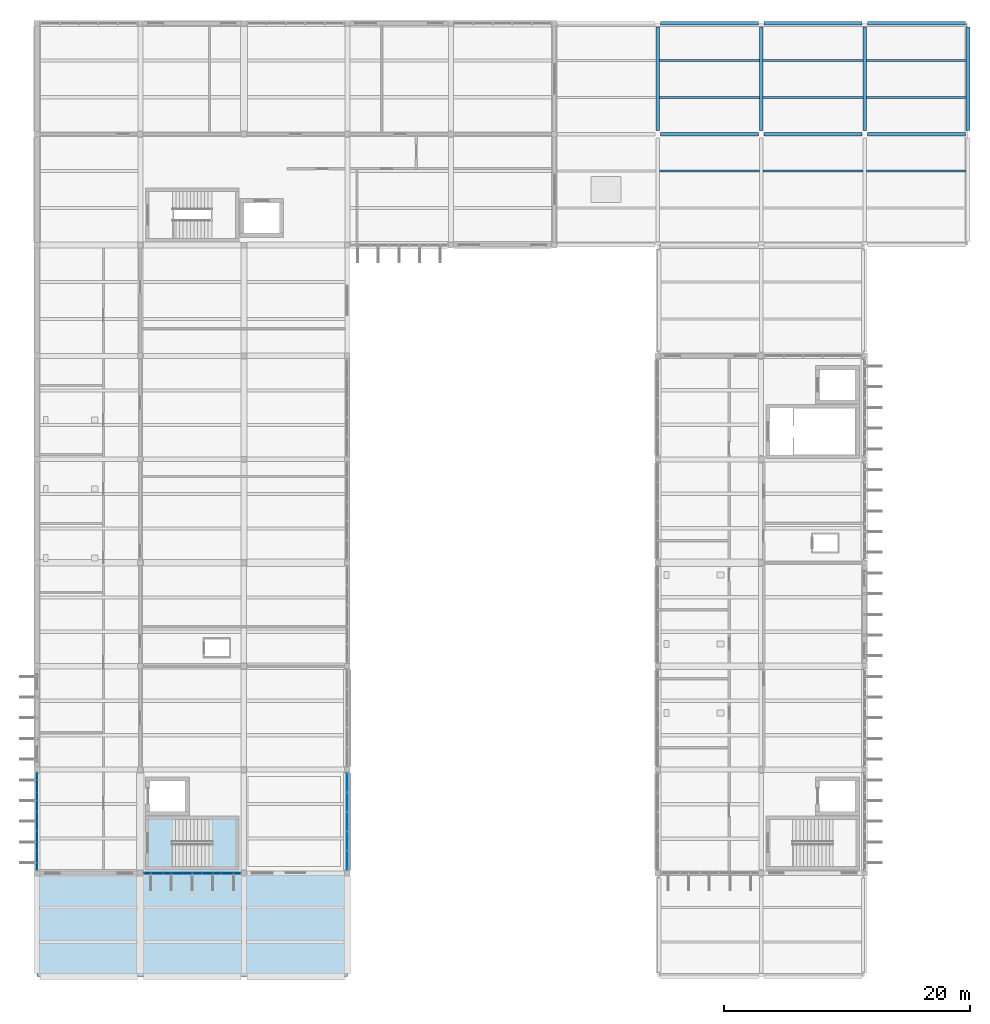
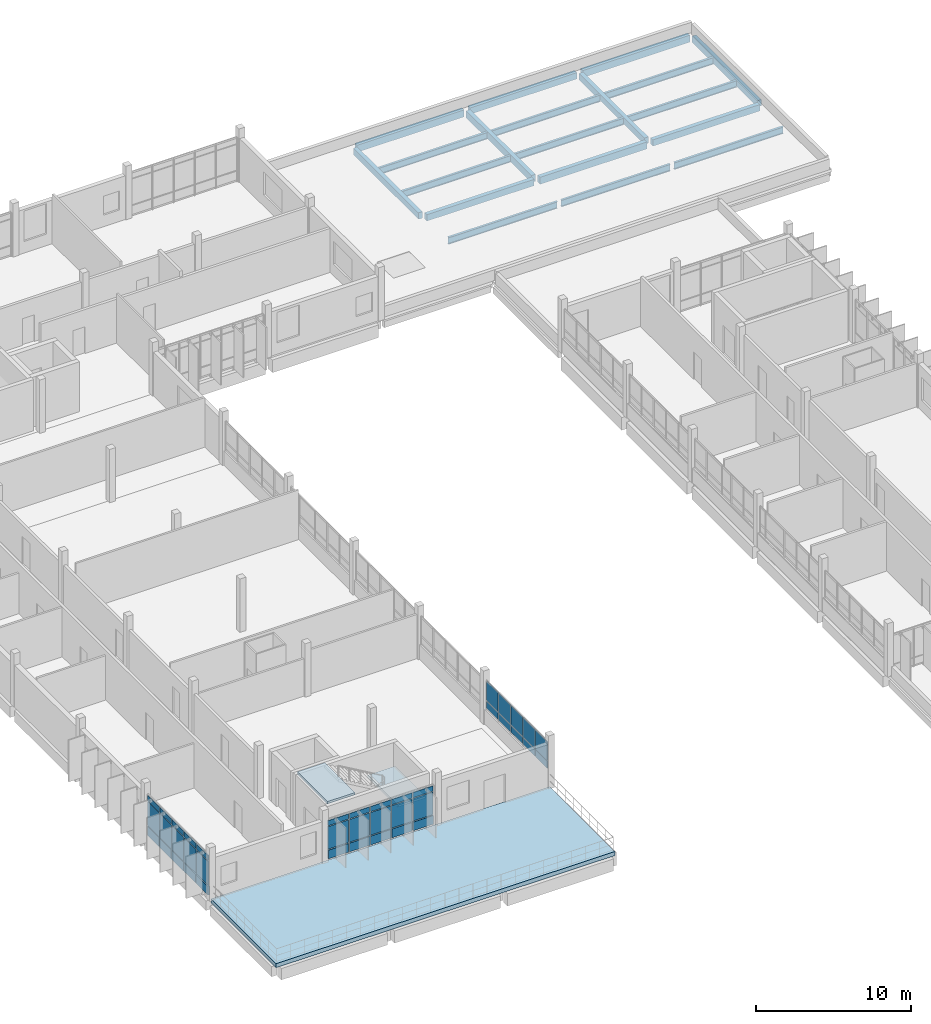
# One storey, part 43 of 62: 40 plates, 19 beams, 3 slabs, 4 elements without a shape of their own.
"""IFC4 building model written with IfcOpenShell, lengths in metres."""

from ifc_helpers import new_model, si_unit, direction, frame, origin, origin_2d, place, context, subcontext, project, spatial, polyline, rectangle, i_section, outline, extrude, material, layer, layer_set, material_profile, profile_set, type_object, element, aggregate, save


model = new_model("IFC4")

# Units and contexts
model_context = context("Model", 3, precision=1e-05, world=origin(), true_north=direction((0.0, 1.0)))
body_context = subcontext(model_context, "Body", "Model", "MODEL_VIEW")
ifc_project = project(units=[si_unit("LENGTHUNIT", "METRE"), si_unit("AREAUNIT", "SQUARE_METRE"), si_unit("VOLUMEUNIT", "CUBIC_METRE"), si_unit("PLANEANGLEUNIT", "RADIAN"), si_unit("MASSUNIT", "GRAM", prefix="KILO")], contexts=[model_context])

# Site, building, storey
site_placement = place(None, origin())
site = spatial("IfcSite", under=ifc_project, at=site_placement, CompositionType="ELEMENT")
building_placement = place(site_placement, origin())
building = spatial("IfcBuilding", under=site, at=building_placement, Name="Vireocrest Preparatory School", CompositionType="ELEMENT")
storey_placement = place(building_placement, frame((0.0, 0.0, 17.39990234375)))
storey = spatial("IfcBuildingStorey", under=building, at=storey_placement, Name="L04", CompositionType="ELEMENT", Elevation=17.39990234375)

# Beams
ifc_material_1 = material(Name="Structural steel ASTM A992 Grade 50", Category="steel")
ifc_material_profile_1 = material_profile(ifc_material_1, i_section(OverallWidth=0.166015625, OverallDepth=0.529052734375, WebThickness=0.009765625, FlangeThickness=0.013671875, FilletRadius=0.014892578125, at=origin_2d()), Name="W21X50")
ifc_profile_set_1 = profile_set([ifc_material_profile_1], Name="Structural steel ASTM A992 Grade 50")
beam_type_1 = type_object("IfcBeamType", Name="Pavilion Roof Joist W21X50", PredefinedType="JOIST", material=ifc_profile_set_1)
for number, where, z_axis, x_axis, name in (
    (1, (92.550048828125, 100.800048828125, -0.484375), (1.0, 0.0, 0.0), (0.0, 1.0, 0.0), "Secondary Joist SJ1 L04-1496"),
    (2, (92.550048828125, 106.800048828125, -0.484375), (1.0, 0.0, 0.0), (0.0, 1.0, 0.0), "Secondary Joist SJ1 L04-1497"),
    (3, (92.550048828125, 109.800048828125, -0.484375), (1.0, 0.0, 0.0), (0.0, 1.0, 0.0), "Secondary Joist SJ1 L04-1498"),
):
    element("IfcBeam", number, at=place(storey_placement, frame(where, z_axis=z_axis, x_axis=x_axis)), inside=storey, type_object=beam_type_1, Name=name, PredefinedType="JOIST", context=body_context, shape_type="SweptSolid", body=[
        extrude(i_section(OverallWidth=0.166015625, OverallDepth=0.529052734375, WebThickness=0.009765625, FlangeThickness=0.013671875, FilletRadius=0.014892578125, at=origin_2d()), origin(), (0.0, 0.0, 1.0), 8.099853515625),
    ])
for number, where, z_axis, x_axis, name in (
    (4, (100.949951171875, 100.800048828125, -0.484375), (1.0, 0.0, 0.0), (0.0, 1.0, 0.0), "Secondary Joist SJ1 L04-1510"),
    (5, (100.949951171875, 106.800048828125, -0.484375), (1.0, 0.0, 0.0), (0.0, 1.0, 0.0), "Secondary Joist SJ1 L04-1511"),
    (6, (100.949951171875, 109.800048828125, -0.484375), (1.0, 0.0, 0.0), (0.0, 1.0, 0.0), "Secondary Joist SJ1 L04-1512"),
):
    element("IfcBeam", number, at=place(storey_placement, frame(where, z_axis=z_axis, x_axis=x_axis)), inside=storey, type_object=beam_type_1, Name=name, PredefinedType="JOIST", context=body_context, shape_type="SweptSolid", body=[
        extrude(i_section(OverallWidth=0.166015625, OverallDepth=0.529052734375, WebThickness=0.009765625, FlangeThickness=0.013671875, FilletRadius=0.014892578125, at=origin_2d()), origin(), (0.0, 0.0, 1.0), 8.10009765625),
    ])
for number, where, z_axis, x_axis, name in (
    (7, (109.35009765625, 100.800048828125, -0.484375), (1.0, 0.0, 0.0), (0.0, 1.0, 0.0), "Secondary Joist SJ1 L04-1514"),
    (8, (109.35009765625, 106.800048828125, -0.484375), (1.0, 0.0, 0.0), (0.0, 1.0, 0.0), "Secondary Joist SJ1 L04-1515"),
    (9, (109.35009765625, 109.800048828125, -0.484375), (1.0, 0.0, 0.0), (0.0, 1.0, 0.0), "Secondary Joist SJ1 L04-1516"),
):
    element("IfcBeam", number, at=place(storey_placement, frame(where, z_axis=z_axis, x_axis=x_axis)), inside=storey, type_object=beam_type_1, Name=name, PredefinedType="JOIST", context=body_context, shape_type="SweptSolid", body=[
        extrude(i_section(OverallWidth=0.166015625, OverallDepth=0.529052734375, WebThickness=0.009765625, FlangeThickness=0.013671875, FilletRadius=0.014892578125, at=origin_2d()), origin(), (0.0, 0.0, 1.0), 8.099853515625),
    ])
ifc_material_2 = material(Name="Concrete 40 MPa", Category="concrete")
ifc_material_profile_2 = material_profile(ifc_material_2, rectangle(XDim=0.300048828125, YDim=0.5, at=origin_2d()), Name="RC 300x500")
ifc_profile_set_2 = profile_set([ifc_material_profile_2], Name="Concrete 40 MPa")
beam_type_2 = type_object("IfcBeamType", Name="RC Roof Edge Beam 300x500", PredefinedType="BEAM", material=ifc_profile_set_2)
for number, where, z_axis, x_axis, name in (
    (10, (92.625, 103.800048828125, -0.469970703125), (1.0, 0.0, 0.0), (0.0, 1.0, 0.0), "Primary Girder B01 L04-1341"),
    (11, (109.425048828125, 103.800048828125, -0.469970703125), (1.0, 0.0, 0.0), (0.0, 1.0, 0.0), "Primary Girder B01 L04-1343"),
):
    element("IfcBeam", number, at=place(storey_placement, frame(where, z_axis=z_axis, x_axis=x_axis)), inside=storey, type_object=beam_type_2, Name=name, PredefinedType="BEAM", context=body_context, shape_type="SweptSolid", body=[
        extrude(rectangle(XDim=0.300048828125, YDim=0.5, at=origin_2d()), origin(), (0.0, 0.0, 1.0), 7.949951171875),
    ])
beam_1_placement = place(storey_placement, frame((101.02490234375, 112.800048828125, -0.469970703125), z_axis=(1.0, 0.0, 0.0), x_axis=(0.0, 1.0, 0.0)))
element("IfcBeam", 12, at=beam_1_placement, inside=storey, type_object=beam_type_2, Name="Primary Girder B01 L04-1351", PredefinedType="BEAM", context=body_context, shape_type="SweptSolid", body=[
    extrude(rectangle(XDim=0.300048828125, YDim=0.5, at=origin_2d()), origin(), (0.0, 0.0, 1.0), 7.9501953125),
])
for number, where, z_axis, x_axis, name in (
    (13, (92.39990234375, 104.10009765625, -0.469970703125), (0.0, 1.0, 0.0), (-1.0, 0.0, 0.0), "Primary Girder B01 L04-1400"),
    (14, (109.199951171875, 104.10009765625, -0.469970703125), (0.0, 1.0, 0.0), (-1.0, 0.0, 0.0), "Primary Girder B01 L04-1418"),
    (15, (117.60009765625, 104.10009765625, -0.469970703125), (0.0, 1.0, 0.0), (-1.0, 0.0, 0.0), "Primary Girder B01 L04-1420"),
):
    element("IfcBeam", number, at=place(storey_placement, frame(where, z_axis=z_axis, x_axis=x_axis)), inside=storey, type_object=beam_type_2, Name=name, PredefinedType="BEAM", context=body_context, shape_type="SweptSolid", body=[
        extrude(rectangle(XDim=0.300048828125, YDim=0.5, at=origin_2d()), origin(), (0.0, 0.0, 1.0), 8.39990234375),
    ])
ifc_material_profile_3 = material_profile(ifc_material_2, rectangle(XDim=0.300048828125, YDim=0.550048828125, at=origin_2d()), Name="RC 300x550")
ifc_profile_set_3 = profile_set([ifc_material_profile_3], Name="Concrete 40 MPa")
beam_type_3 = type_object("IfcBeamType", Name="RC Roof Girder 300x550", PredefinedType="BEAM", material=ifc_profile_set_3)
beam_2_placement = place(storey_placement, frame((101.02490234375, 103.800048828125, -0.494873046875), z_axis=(1.0, 0.0, 0.0), x_axis=(0.0, 1.0, 0.0)))
element("IfcBeam", 16, at=beam_2_placement, inside=storey, type_object=beam_type_3, Name="Primary Girder B02 L04-1342", PredefinedType="BEAM", context=body_context, shape_type="SweptSolid", body=[
    extrude(rectangle(XDim=0.300048828125, YDim=0.550048828125, at=origin_2d()), origin(), (0.0, 0.0, 1.0), 7.9501953125),
])
for number, where, z_axis, x_axis, name in (
    (17, (92.625, 112.800048828125, -0.494873046875), (1.0, 0.0, 0.0), (0.0, 1.0, 0.0), "Primary Girder B02 L04-1350"),
    (18, (109.425048828125, 112.800048828125, -0.494873046875), (1.0, 0.0, 0.0), (0.0, 1.0, 0.0), "Primary Girder B02 L04-1352"),
):
    element("IfcBeam", number, at=place(storey_placement, frame(where, z_axis=z_axis, x_axis=x_axis)), inside=storey, type_object=beam_type_3, Name=name, PredefinedType="BEAM", context=body_context, shape_type="SweptSolid", body=[
        extrude(rectangle(XDim=0.300048828125, YDim=0.550048828125, at=origin_2d()), origin(), (0.0, 0.0, 1.0), 7.949951171875),
    ])
beam_3_placement = place(storey_placement, frame((100.800048828125, 104.10009765625, -0.494873046875), z_axis=(0.0, 1.0, 0.0), x_axis=(-1.0, 0.0, 0.0)))
element("IfcBeam", 19, at=beam_3_placement, inside=storey, type_object=beam_type_3, Name="Primary Girder B02 L04-1409", PredefinedType="BEAM", context=body_context, shape_type="SweptSolid", body=[
    extrude(rectangle(XDim=0.300048828125, YDim=0.550048828125, at=origin_2d()), origin(), (0.0, 0.0, 1.0), 8.39990234375),
])

# Curtain wall, plates
ifc_material_3 = material(Name="Thermally broken aluminium EN AW-6063-T6", Category="aluminium")
ifc_layer_1 = layer(ifc_material_3, 0.179931640625)
ifc_layer_set_1 = layer_set([ifc_layer_1], Name="Thermally broken aluminium EN AW-6063-T6")
curtain_wall_type_1 = type_object("IfcCurtainWallType", Name="Teaching Fin Curtain Wall 8400x4200", PredefinedType="USERDEFINED", material=ifc_layer_set_1)
curtain_wall_1_placement = place(storey_placement, origin())
curtain_wall_1 = element("IfcCurtainWall", 20, at=curtain_wall_1_placement, inside=storey, type_object=curtain_wall_type_1, Name="Curtain Wall CW03 CW_L04_CW03_0420_0440_174", ObjectType="CURTAIN WALL", PredefinedType="USERDEFINED")
ifc_material_4 = material(Name="Insulated triple low-e tempered safety glass", Category="glass")
ifc_layer_2 = layer(ifc_material_4, 0.074951171875)
ifc_layer_set_2 = layer_set([ifc_layer_2], Name="Insulated triple low-e tempered safety glass")
plate_type_1 = type_object("IfcPlateType", Name="Acoustic Triple-Glazed Lab Curtain Panel 75", PredefinedType="CURTAIN_PANEL", material=ifc_layer_set_2)
plate_1_placement = place(storey_placement, frame((42.0, 44.847900390625, 0.882568359375), z_axis=(0.0, 0.0, 1.0), x_axis=(0.0, 1.0, 0.0)))
plate_1 = element("IfcPlate", 21, at=plate_1_placement, type_object=plate_type_1, Name="CW Panel GL2 CW_L04_CW03_0420_0440_174-1-2", PredefinedType="CURTAIN_PANEL", context=body_context, shape_type="SweptSolid", body=[
    extrude(rectangle(XDim=1.510986328125, YDim=0.074951171875, at=origin_2d()), origin(), (0.0, 0.0, 1.0), 1.875),
])
plate_2_placement = place(storey_placement, frame((42.0, 44.847900390625, 2.82275390625), z_axis=(0.0, 0.0, 1.0), x_axis=(0.0, 1.0, 0.0)))
plate_2 = element("IfcPlate", 22, at=plate_2_placement, type_object=plate_type_1, Name="CW Panel GL2 CW_L04_CW03_0420_0440_174-1-3", PredefinedType="CURTAIN_PANEL", context=body_context, shape_type="SweptSolid", body=[
    extrude(rectangle(XDim=1.510986328125, YDim=0.074951171875, at=origin_2d()), origin(), (0.0, 0.0, 1.0), 0.409912109375),
])
plate_3_placement = place(storey_placement, frame((42.0, 46.424072265625, 0.882568359375), z_axis=(0.0, 0.0, 1.0), x_axis=(0.0, 1.0, 0.0)))
plate_3 = element("IfcPlate", 23, at=plate_3_placement, type_object=plate_type_1, Name="CW Panel GL2 CW_L04_CW03_0420_0440_174-2-2", PredefinedType="CURTAIN_PANEL", context=body_context, shape_type="SweptSolid", body=[
    extrude(rectangle(XDim=1.510986328125, YDim=0.074951171875, at=origin_2d()), origin(), (0.0, 0.0, 1.0), 1.875),
])
plate_4_placement = place(storey_placement, frame((42.0, 46.424072265625, 2.82275390625), z_axis=(0.0, 0.0, 1.0), x_axis=(0.0, 1.0, 0.0)))
plate_4 = element("IfcPlate", 24, at=plate_4_placement, type_object=plate_type_1, Name="CW Panel GL2 CW_L04_CW03_0420_0440_174-2-3", PredefinedType="CURTAIN_PANEL", context=body_context, shape_type="SweptSolid", body=[
    extrude(rectangle(XDim=1.510986328125, YDim=0.074951171875, at=origin_2d()), origin(), (0.0, 0.0, 1.0), 0.409912109375),
])
plate_5_placement = place(storey_placement, frame((42.0, 48.0, 0.882568359375), z_axis=(0.0, 0.0, 1.0), x_axis=(0.0, 1.0, 0.0)))
plate_5 = element("IfcPlate", 25, at=plate_5_placement, type_object=plate_type_1, Name="CW Panel GL2 CW_L04_CW03_0420_0440_174-3-2", PredefinedType="CURTAIN_PANEL", context=body_context, shape_type="SweptSolid", body=[
    extrude(rectangle(XDim=1.510986328125, YDim=0.074951171875, at=origin_2d()), origin(), (0.0, 0.0, 1.0), 1.875),
])
plate_6_placement = place(storey_placement, frame((42.0, 48.0, 2.82275390625), z_axis=(0.0, 0.0, 1.0), x_axis=(0.0, 1.0, 0.0)))
plate_6 = element("IfcPlate", 26, at=plate_6_placement, type_object=plate_type_1, Name="CW Panel GL2 CW_L04_CW03_0420_0440_174-3-3", PredefinedType="CURTAIN_PANEL", context=body_context, shape_type="SweptSolid", body=[
    extrude(rectangle(XDim=1.510986328125, YDim=0.074951171875, at=origin_2d()), origin(), (0.0, 0.0, 1.0), 0.409912109375),
])
plate_7_placement = place(storey_placement, frame((42.0, 49.575927734375, 0.882568359375), z_axis=(0.0, 0.0, 1.0), x_axis=(0.0, 1.0, 0.0)))
plate_7 = element("IfcPlate", 27, at=plate_7_placement, type_object=plate_type_1, Name="CW Panel GL2 CW_L04_CW03_0420_0440_174-4-2", PredefinedType="CURTAIN_PANEL", context=body_context, shape_type="SweptSolid", body=[
    extrude(rectangle(XDim=1.510986328125, YDim=0.074951171875, at=origin_2d()), origin(), (0.0, 0.0, 1.0), 1.875),
])
plate_8_placement = place(storey_placement, frame((42.0, 49.575927734375, 2.82275390625), z_axis=(0.0, 0.0, 1.0), x_axis=(0.0, 1.0, 0.0)))
plate_8 = element("IfcPlate", 28, at=plate_8_placement, type_object=plate_type_1, Name="CW Panel GL2 CW_L04_CW03_0420_0440_174-4-3", PredefinedType="CURTAIN_PANEL", context=body_context, shape_type="SweptSolid", body=[
    extrude(rectangle(XDim=1.510986328125, YDim=0.074951171875, at=origin_2d()), origin(), (0.0, 0.0, 1.0), 0.409912109375),
])
plate_9_placement = place(storey_placement, frame((42.0, 51.152099609375, 0.882568359375), z_axis=(0.0, 0.0, 1.0), x_axis=(0.0, 1.0, 0.0)))
plate_9 = element("IfcPlate", 29, at=plate_9_placement, type_object=plate_type_1, Name="CW Panel GL2 CW_L04_CW03_0420_0440_174-5-2", PredefinedType="CURTAIN_PANEL", context=body_context, shape_type="SweptSolid", body=[
    extrude(rectangle(XDim=1.510986328125, YDim=0.074951171875, at=origin_2d()), origin(), (0.0, 0.0, 1.0), 1.875),
])
plate_10_placement = place(storey_placement, frame((42.0, 51.152099609375, 2.82275390625), z_axis=(0.0, 0.0, 1.0), x_axis=(0.0, 1.0, 0.0)))
plate_10 = element("IfcPlate", 30, at=plate_10_placement, type_object=plate_type_1, Name="CW Panel GL2 CW_L04_CW03_0420_0440_174-5-3", PredefinedType="CURTAIN_PANEL", context=body_context, shape_type="SweptSolid", body=[
    extrude(rectangle(XDim=1.510986328125, YDim=0.074951171875, at=origin_2d()), origin(), (0.0, 0.0, 1.0), 0.409912109375),
])

ifc_layer_3 = layer(ifc_material_3, 0.179931640625)
ifc_layer_set_3 = layer_set([ifc_layer_3], Name="Thermally broken aluminium EN AW-6063-T6")
curtain_wall_type_2 = type_object("IfcCurtainWallType", Name="Stair Core Daylit Strip 4200x4200", PredefinedType="USERDEFINED", material=ifc_layer_set_3)
curtain_wall_2_placement = place(storey_placement, origin())
curtain_wall_2 = element("IfcCurtainWall", 31, at=curtain_wall_2_placement, inside=storey, type_object=curtain_wall_type_2, Name="Curtain Wall CW18 CW_L04_CW18_0506_0438_174", ObjectType="CURTAIN WALL", PredefinedType="USERDEFINED")
plate_11_placement = place(storey_placement, frame((51.447998046875, 43.800048828125, 0.882568359375), z_axis=(0.0, 0.0, 1.0), x_axis=(1.0, 0.0, 0.0)))
plate_11 = element("IfcPlate", 32, at=plate_11_placement, type_object=plate_type_1, Name="CW Panel GL2 CW_L04_CW18_0506_0438_174-1-2", PredefinedType="CURTAIN_PANEL", context=body_context, shape_type="SweptSolid", body=[
    extrude(rectangle(XDim=1.510986328125, YDim=0.074951171875, at=origin_2d()), origin(), (0.0, 0.0, 1.0), 1.77490234375),
])
plate_12_placement = place(storey_placement, frame((51.447998046875, 43.800048828125, 2.72265625), z_axis=(0.0, 0.0, 1.0), x_axis=(1.0, 0.0, 0.0)))
plate_12 = element("IfcPlate", 33, at=plate_12_placement, type_object=plate_type_1, Name="CW Panel GL2 CW_L04_CW18_0506_0438_174-1-3", PredefinedType="CURTAIN_PANEL", context=body_context, shape_type="SweptSolid", body=[
    extrude(rectangle(XDim=1.510986328125, YDim=0.074951171875, at=origin_2d()), origin(), (0.0, 0.0, 1.0), 0.409912109375),
])
plate_13_placement = place(storey_placement, frame((53.02392578125, 43.800048828125, 0.882568359375), z_axis=(0.0, 0.0, 1.0), x_axis=(1.0, 0.0, 0.0)))
plate_13 = element("IfcPlate", 34, at=plate_13_placement, type_object=plate_type_1, Name="CW Panel GL2 CW_L04_CW18_0506_0438_174-2-2", PredefinedType="CURTAIN_PANEL", context=body_context, shape_type="SweptSolid", body=[
    extrude(rectangle(XDim=1.510986328125, YDim=0.074951171875, at=origin_2d()), origin(), (0.0, 0.0, 1.0), 1.77490234375),
])
plate_14_placement = place(storey_placement, frame((53.02392578125, 43.800048828125, 2.72265625), z_axis=(0.0, 0.0, 1.0), x_axis=(1.0, 0.0, 0.0)))
plate_14 = element("IfcPlate", 35, at=plate_14_placement, type_object=plate_type_1, Name="CW Panel GL2 CW_L04_CW18_0506_0438_174-2-3", PredefinedType="CURTAIN_PANEL", context=body_context, shape_type="SweptSolid", body=[
    extrude(rectangle(XDim=1.510986328125, YDim=0.074951171875, at=origin_2d()), origin(), (0.0, 0.0, 1.0), 0.409912109375),
])
plate_15_placement = place(storey_placement, frame((54.60009765625, 43.800048828125, 0.882568359375), z_axis=(0.0, 0.0, 1.0), x_axis=(1.0, 0.0, 0.0)))
plate_15 = element("IfcPlate", 36, at=plate_15_placement, type_object=plate_type_1, Name="CW Panel GL2 CW_L04_CW18_0506_0438_174-3-2", PredefinedType="CURTAIN_PANEL", context=body_context, shape_type="SweptSolid", body=[
    extrude(rectangle(XDim=1.510986328125, YDim=0.074951171875, at=origin_2d()), origin(), (0.0, 0.0, 1.0), 1.77490234375),
])
plate_16_placement = place(storey_placement, frame((54.60009765625, 43.800048828125, 2.72265625), z_axis=(0.0, 0.0, 1.0), x_axis=(1.0, 0.0, 0.0)))
plate_16 = element("IfcPlate", 37, at=plate_16_placement, type_object=plate_type_1, Name="CW Panel GL2 CW_L04_CW18_0506_0438_174-3-3", PredefinedType="CURTAIN_PANEL", context=body_context, shape_type="SweptSolid", body=[
    extrude(rectangle(XDim=1.510986328125, YDim=0.074951171875, at=origin_2d()), origin(), (0.0, 0.0, 1.0), 0.409912109375),
])
plate_17_placement = place(storey_placement, frame((56.176025390625, 43.800048828125, 0.882568359375), z_axis=(0.0, 0.0, 1.0), x_axis=(1.0, 0.0, 0.0)))
plate_17 = element("IfcPlate", 38, at=plate_17_placement, type_object=plate_type_1, Name="CW Panel GL2 CW_L04_CW18_0506_0438_174-4-2", PredefinedType="CURTAIN_PANEL", context=body_context, shape_type="SweptSolid", body=[
    extrude(rectangle(XDim=1.510986328125, YDim=0.074951171875, at=origin_2d()), origin(), (0.0, 0.0, 1.0), 1.77490234375),
])
plate_18_placement = place(storey_placement, frame((56.176025390625, 43.800048828125, 2.72265625), z_axis=(0.0, 0.0, 1.0), x_axis=(1.0, 0.0, 0.0)))
plate_18 = element("IfcPlate", 39, at=plate_18_placement, type_object=plate_type_1, Name="CW Panel GL2 CW_L04_CW18_0506_0438_174-4-3", PredefinedType="CURTAIN_PANEL", context=body_context, shape_type="SweptSolid", body=[
    extrude(rectangle(XDim=1.510986328125, YDim=0.074951171875, at=origin_2d()), origin(), (0.0, 0.0, 1.0), 0.409912109375),
])
plate_19_placement = place(storey_placement, frame((57.751953125, 43.800048828125, 0.882568359375), z_axis=(0.0, 0.0, 1.0), x_axis=(1.0, 0.0, 0.0)))
plate_19 = element("IfcPlate", 40, at=plate_19_placement, type_object=plate_type_1, Name="CW Panel GL2 CW_L04_CW18_0506_0438_174-5-2", PredefinedType="CURTAIN_PANEL", context=body_context, shape_type="SweptSolid", body=[
    extrude(rectangle(XDim=1.510986328125, YDim=0.074951171875, at=origin_2d()), origin(), (0.0, 0.0, 1.0), 1.77490234375),
])
plate_20_placement = place(storey_placement, frame((57.751953125, 43.800048828125, 2.72265625), z_axis=(0.0, 0.0, 1.0), x_axis=(1.0, 0.0, 0.0)))
plate_20 = element("IfcPlate", 41, at=plate_20_placement, type_object=plate_type_1, Name="CW Panel GL2 CW_L04_CW18_0506_0438_174-5-3", PredefinedType="CURTAIN_PANEL", context=body_context, shape_type="SweptSolid", body=[
    extrude(rectangle(XDim=1.510986328125, YDim=0.074951171875, at=origin_2d()), origin(), (0.0, 0.0, 1.0), 0.409912109375),
])

# Plate
ifc_material_5 = material(Name="Painted white aluminium cladding EN AW-6063-T6", Category="aluminium")
ifc_layer_4 = layer(ifc_material_5, 0.114990234375)
ifc_layer_set_4 = layer_set([ifc_layer_4], Name="Painted white aluminium cladding EN AW-6063-T6")
plate_type_2 = type_object("IfcPlateType", Name="Insulated White Spandrel Curtain Panel 115", PredefinedType="CURTAIN_PANEL", material=ifc_layer_set_4)
plate_21_placement = place(storey_placement, frame((42.0, 44.847900390625, 0.127685546875), z_axis=(0.0, 0.0, 1.0), x_axis=(0.0, 1.0, 0.0)))
plate_21 = element("IfcPlate", 42, at=plate_21_placement, type_object=plate_type_2, Name="CW Panel SP2 CW_L04_CW03_0420_0440_174-1-1", PredefinedType="CURTAIN_PANEL", context=body_context, shape_type="SweptSolid", body=[
    extrude(rectangle(XDim=1.510986328125, YDim=0.114990234375, at=origin_2d()), origin(), (0.0, 0.0, 1.0), 0.68994140625),
])

plate_22_placement = place(storey_placement, frame((42.0, 46.424072265625, 0.127685546875), z_axis=(0.0, 0.0, 1.0), x_axis=(0.0, 1.0, 0.0)))
plate_22 = element("IfcPlate", 43, at=plate_22_placement, type_object=plate_type_2, Name="CW Panel SP2 CW_L04_CW03_0420_0440_174-2-1", PredefinedType="CURTAIN_PANEL", context=body_context, shape_type="SweptSolid", body=[
    extrude(rectangle(XDim=1.510986328125, YDim=0.114990234375, at=origin_2d()), origin(), (0.0, 0.0, 1.0), 0.68994140625),
])

plate_23_placement = place(storey_placement, frame((42.0, 48.0, 0.127685546875), z_axis=(0.0, 0.0, 1.0), x_axis=(0.0, 1.0, 0.0)))
plate_23 = element("IfcPlate", 44, at=plate_23_placement, type_object=plate_type_2, Name="CW Panel SP2 CW_L04_CW03_0420_0440_174-3-1", PredefinedType="CURTAIN_PANEL", context=body_context, shape_type="SweptSolid", body=[
    extrude(rectangle(XDim=1.510986328125, YDim=0.114990234375, at=origin_2d()), origin(), (0.0, 0.0, 1.0), 0.68994140625),
])

plate_24_placement = place(storey_placement, frame((42.0, 49.575927734375, 0.127685546875), z_axis=(0.0, 0.0, 1.0), x_axis=(0.0, 1.0, 0.0)))
plate_24 = element("IfcPlate", 45, at=plate_24_placement, type_object=plate_type_2, Name="CW Panel SP2 CW_L04_CW03_0420_0440_174-4-1", PredefinedType="CURTAIN_PANEL", context=body_context, shape_type="SweptSolid", body=[
    extrude(rectangle(XDim=1.510986328125, YDim=0.114990234375, at=origin_2d()), origin(), (0.0, 0.0, 1.0), 0.68994140625),
])

plate_25_placement = place(storey_placement, frame((42.0, 51.152099609375, 0.127685546875), z_axis=(0.0, 0.0, 1.0), x_axis=(0.0, 1.0, 0.0)))
plate_25 = element("IfcPlate", 46, at=plate_25_placement, type_object=plate_type_2, Name="CW Panel SP2 CW_L04_CW03_0420_0440_174-5-1", PredefinedType="CURTAIN_PANEL", context=body_context, shape_type="SweptSolid", body=[
    extrude(rectangle(XDim=1.510986328125, YDim=0.114990234375, at=origin_2d()), origin(), (0.0, 0.0, 1.0), 0.68994140625),
])

aggregate(curtain_wall_1, [plate_21, plate_1, plate_2, plate_22, plate_3, plate_4, plate_23, plate_5, plate_6, plate_24, plate_7, plate_8, plate_25, plate_9, plate_10])

plate_26_placement = place(storey_placement, frame((51.447998046875, 43.800048828125, 0.127685546875), z_axis=(0.0, 0.0, 1.0), x_axis=(1.0, 0.0, 0.0)))
plate_26 = element("IfcPlate", 47, at=plate_26_placement, type_object=plate_type_2, Name="CW Panel SP2 CW_L04_CW18_0506_0438_174-1-1", PredefinedType="CURTAIN_PANEL", context=body_context, shape_type="SweptSolid", body=[
    extrude(rectangle(XDim=1.510986328125, YDim=0.114990234375, at=origin_2d()), origin(), (0.0, 0.0, 1.0), 0.68994140625),
])

plate_27_placement = place(storey_placement, frame((53.02392578125, 43.800048828125, 0.127685546875), z_axis=(0.0, 0.0, 1.0), x_axis=(1.0, 0.0, 0.0)))
plate_27 = element("IfcPlate", 48, at=plate_27_placement, type_object=plate_type_2, Name="CW Panel SP2 CW_L04_CW18_0506_0438_174-2-1", PredefinedType="CURTAIN_PANEL", context=body_context, shape_type="SweptSolid", body=[
    extrude(rectangle(XDim=1.510986328125, YDim=0.114990234375, at=origin_2d()), origin(), (0.0, 0.0, 1.0), 0.68994140625),
])

plate_28_placement = place(storey_placement, frame((54.60009765625, 43.800048828125, 0.127685546875), z_axis=(0.0, 0.0, 1.0), x_axis=(1.0, 0.0, 0.0)))
plate_28 = element("IfcPlate", 49, at=plate_28_placement, type_object=plate_type_2, Name="CW Panel SP2 CW_L04_CW18_0506_0438_174-3-1", PredefinedType="CURTAIN_PANEL", context=body_context, shape_type="SweptSolid", body=[
    extrude(rectangle(XDim=1.510986328125, YDim=0.114990234375, at=origin_2d()), origin(), (0.0, 0.0, 1.0), 0.68994140625),
])

plate_29_placement = place(storey_placement, frame((56.176025390625, 43.800048828125, 0.127685546875), z_axis=(0.0, 0.0, 1.0), x_axis=(1.0, 0.0, 0.0)))
plate_29 = element("IfcPlate", 50, at=plate_29_placement, type_object=plate_type_2, Name="CW Panel SP2 CW_L04_CW18_0506_0438_174-4-1", PredefinedType="CURTAIN_PANEL", context=body_context, shape_type="SweptSolid", body=[
    extrude(rectangle(XDim=1.510986328125, YDim=0.114990234375, at=origin_2d()), origin(), (0.0, 0.0, 1.0), 0.68994140625),
])

plate_30_placement = place(storey_placement, frame((57.751953125, 43.800048828125, 0.127685546875), z_axis=(0.0, 0.0, 1.0), x_axis=(1.0, 0.0, 0.0)))
plate_30 = element("IfcPlate", 51, at=plate_30_placement, type_object=plate_type_2, Name="CW Panel SP2 CW_L04_CW18_0506_0438_174-5-1", PredefinedType="CURTAIN_PANEL", context=body_context, shape_type="SweptSolid", body=[
    extrude(rectangle(XDim=1.510986328125, YDim=0.114990234375, at=origin_2d()), origin(), (0.0, 0.0, 1.0), 0.68994140625),
])

aggregate(curtain_wall_2, [plate_26, plate_11, plate_12, plate_27, plate_13, plate_14, plate_28, plate_15, plate_16, plate_29, plate_17, plate_18, plate_30, plate_19, plate_20])

# Slab
ifc_layer_5 = layer(ifc_material_2, 0.320068359375)
ifc_layer_set_5 = layer_set([ifc_layer_5], Name="Concrete 40 MPa")
slab_type_1 = type_object("IfcSlabType", Name="Outdoor Play Deck and Terrace Structural Slab 320", PredefinedType="FLOOR", material=ifc_layer_set_5)
slab_1_placement = place(storey_placement, frame((0.0, 0.0, -0.31982421875)))
element("IfcSlab", 52, at=slab_1_placement, inside=storey, type_object=slab_type_1, Name="Slab L04_WEST_TERRACE", PredefinedType="FLOOR", context=body_context, shape_type="SweptSolid", body=[
    extrude(outline(polyline([(42.0, 35.39990234375), (67.199951171875, 35.39990234375), (67.199951171875, 43.800048828125), (42.0, 43.800048828125), (42.0, 35.39990234375)])), origin(), (0.0, 0.0, 1.0), 0.31982421875),
])

# Stair, slabs
stair_type = type_object("IfcStairType", Name="Feature Library Stair 4200 Rise 1800 Wide", PredefinedType="HALF_TURN_STAIR", material=ifc_material_2)
stair_placement = place(storey_placement, origin())
stair = element("IfcStair", 53, at=stair_placement, inside=storey, type_object=stair_type, Name="Two-Run Stair ST1-L04", PredefinedType="HALF_TURN_STAIR")
ifc_layer_6 = layer(ifc_material_2, 0.179931640625)
ifc_layer_set_6 = layer_set([ifc_layer_6], Name="Concrete 40 MPa")
slab_type_2 = type_object("IfcSlabType", Name="Precast Concrete Stair Landing Slab 180", PredefinedType="LANDING", material=ifc_layer_set_6)
slab_2_placement = place(storey_placement, frame((0.0, 0.0, 1.920166015625)))
slab_2 = element("IfcSlab", 54, at=slab_2_placement, type_object=slab_type_2, Name="Stair Half-Landing ST1-L04", PredefinedType="LANDING", context=body_context, shape_type="SweptSolid", body=[
    extrude(outline(polyline([(56.18994140625, 44.31005859375), (58.2451171875, 44.31005859375), (58.2451171875, 48.18994140625), (56.18994140625, 48.18994140625), (56.18994140625, 44.31005859375)])), origin(), (0.0, 0.0, 1.0), 0.179931640625),
])
slab_3_placement = place(storey_placement, frame((0.0, 0.0, 4.02001953125)))
slab_3 = element("IfcSlab", 55, at=slab_3_placement, type_object=slab_type_2, Name="Stair Arrival Landing ST1-L04", PredefinedType="LANDING", context=body_context, shape_type="SweptSolid", body=[
    extrude(outline(polyline([(50.955078125, 44.31005859375), (53.010009765625, 44.31005859375), (53.010009765625, 48.18994140625), (50.955078125, 48.18994140625), (50.955078125, 44.31005859375)])), origin(), (0.0, 0.0, 1.0), 0.18017578125),
])
aggregate(stair, [slab_2, slab_3])

# Curtain wall, plates
ifc_layer_7 = layer(ifc_material_3, 0.179931640625)
ifc_layer_set_7 = layer_set([ifc_layer_7], Name="Thermally broken aluminium EN AW-6063-T6")
curtain_wall_type_3 = type_object("IfcCurtainWallType", Name="Court Banded Curtain Wall 8400x3000", PredefinedType="USERDEFINED", material=ifc_layer_set_7)
curtain_wall_3_placement = place(storey_placement, origin())
curtain_wall_3 = element("IfcCurtainWall", 56, at=curtain_wall_3_placement, inside=storey, type_object=curtain_wall_type_3, Name="Curtain Wall CW02 CW_L04_CW02_0672_0440_186", ObjectType="CURTAIN WALL", PredefinedType="USERDEFINED")
ifc_layer_8 = layer(ifc_material_4, 0.06005859375)
ifc_layer_set_8 = layer_set([ifc_layer_8], Name="Insulated triple low-e tempered safety glass")
plate_type_3 = type_object("IfcPlateType", Name="Triple-Glazed Vision Curtain Panel 60", PredefinedType="CURTAIN_PANEL", material=ifc_layer_set_8)
plate_31_placement = place(storey_placement, frame((67.199951171875, 44.847900390625, 1.277587890625), z_axis=(0.0, 0.0, 1.0), x_axis=(0.0, 1.0, 0.0)))
plate_31 = element("IfcPlate", 57, at=plate_31_placement, type_object=plate_type_3, Name="CW Panel GL1 CW_L04_CW02_0672_0440_186-1-1", PredefinedType="CURTAIN_PANEL", context=body_context, shape_type="SweptSolid", body=[
    extrude(rectangle(XDim=1.510986328125, YDim=0.06005859375, at=origin_2d()), origin(), (0.0, 0.0, 1.0), 0.5400390625),
])
plate_32_placement = place(storey_placement, frame((67.199951171875, 44.847900390625, 1.8828125), z_axis=(0.0, 0.0, 1.0), x_axis=(0.0, 1.0, 0.0)))
plate_32 = element("IfcPlate", 58, at=plate_32_placement, type_object=plate_type_3, Name="CW Panel GL1 CW_L04_CW02_0672_0440_186-1-2", PredefinedType="CURTAIN_PANEL", context=body_context, shape_type="SweptSolid", body=[
    extrude(rectangle(XDim=1.510986328125, YDim=0.06005859375, at=origin_2d()), origin(), (0.0, 0.0, 1.0), 1.489990234375),
])
plate_33_placement = place(storey_placement, frame((67.199951171875, 46.424072265625, 1.277587890625), z_axis=(0.0, 0.0, 1.0), x_axis=(0.0, 1.0, 0.0)))
plate_33 = element("IfcPlate", 59, at=plate_33_placement, type_object=plate_type_3, Name="CW Panel GL1 CW_L04_CW02_0672_0440_186-2-1", PredefinedType="CURTAIN_PANEL", context=body_context, shape_type="SweptSolid", body=[
    extrude(rectangle(XDim=1.510986328125, YDim=0.06005859375, at=origin_2d()), origin(), (0.0, 0.0, 1.0), 0.5400390625),
])
plate_34_placement = place(storey_placement, frame((67.199951171875, 46.424072265625, 1.8828125), z_axis=(0.0, 0.0, 1.0), x_axis=(0.0, 1.0, 0.0)))
plate_34 = element("IfcPlate", 60, at=plate_34_placement, type_object=plate_type_3, Name="CW Panel GL1 CW_L04_CW02_0672_0440_186-2-2", PredefinedType="CURTAIN_PANEL", context=body_context, shape_type="SweptSolid", body=[
    extrude(rectangle(XDim=1.510986328125, YDim=0.06005859375, at=origin_2d()), origin(), (0.0, 0.0, 1.0), 1.489990234375),
])
plate_35_placement = place(storey_placement, frame((67.199951171875, 48.0, 1.277587890625), z_axis=(0.0, 0.0, 1.0), x_axis=(0.0, 1.0, 0.0)))
plate_35 = element("IfcPlate", 61, at=plate_35_placement, type_object=plate_type_3, Name="CW Panel GL1 CW_L04_CW02_0672_0440_186-3-1", PredefinedType="CURTAIN_PANEL", context=body_context, shape_type="SweptSolid", body=[
    extrude(rectangle(XDim=1.510986328125, YDim=0.06005859375, at=origin_2d()), origin(), (0.0, 0.0, 1.0), 0.5400390625),
])
plate_36_placement = place(storey_placement, frame((67.199951171875, 48.0, 1.8828125), z_axis=(0.0, 0.0, 1.0), x_axis=(0.0, 1.0, 0.0)))
plate_36 = element("IfcPlate", 62, at=plate_36_placement, type_object=plate_type_3, Name="CW Panel GL1 CW_L04_CW02_0672_0440_186-3-2", PredefinedType="CURTAIN_PANEL", context=body_context, shape_type="SweptSolid", body=[
    extrude(rectangle(XDim=1.510986328125, YDim=0.06005859375, at=origin_2d()), origin(), (0.0, 0.0, 1.0), 1.489990234375),
])
plate_37_placement = place(storey_placement, frame((67.199951171875, 49.575927734375, 1.277587890625), z_axis=(0.0, 0.0, 1.0), x_axis=(0.0, 1.0, 0.0)))
plate_37 = element("IfcPlate", 63, at=plate_37_placement, type_object=plate_type_3, Name="CW Panel GL1 CW_L04_CW02_0672_0440_186-4-1", PredefinedType="CURTAIN_PANEL", context=body_context, shape_type="SweptSolid", body=[
    extrude(rectangle(XDim=1.510986328125, YDim=0.06005859375, at=origin_2d()), origin(), (0.0, 0.0, 1.0), 0.5400390625),
])
plate_38_placement = place(storey_placement, frame((67.199951171875, 49.575927734375, 1.8828125), z_axis=(0.0, 0.0, 1.0), x_axis=(0.0, 1.0, 0.0)))
plate_38 = element("IfcPlate", 64, at=plate_38_placement, type_object=plate_type_3, Name="CW Panel GL1 CW_L04_CW02_0672_0440_186-4-2", PredefinedType="CURTAIN_PANEL", context=body_context, shape_type="SweptSolid", body=[
    extrude(rectangle(XDim=1.510986328125, YDim=0.06005859375, at=origin_2d()), origin(), (0.0, 0.0, 1.0), 1.489990234375),
])
plate_39_placement = place(storey_placement, frame((67.199951171875, 51.152099609375, 1.277587890625), z_axis=(0.0, 0.0, 1.0), x_axis=(0.0, 1.0, 0.0)))
plate_39 = element("IfcPlate", 65, at=plate_39_placement, type_object=plate_type_3, Name="CW Panel GL1 CW_L04_CW02_0672_0440_186-5-1", PredefinedType="CURTAIN_PANEL", context=body_context, shape_type="SweptSolid", body=[
    extrude(rectangle(XDim=1.510986328125, YDim=0.06005859375, at=origin_2d()), origin(), (0.0, 0.0, 1.0), 0.5400390625),
])
plate_40_placement = place(storey_placement, frame((67.199951171875, 51.152099609375, 1.8828125), z_axis=(0.0, 0.0, 1.0), x_axis=(0.0, 1.0, 0.0)))
plate_40 = element("IfcPlate", 66, at=plate_40_placement, type_object=plate_type_3, Name="CW Panel GL1 CW_L04_CW02_0672_0440_186-5-2", PredefinedType="CURTAIN_PANEL", context=body_context, shape_type="SweptSolid", body=[
    extrude(rectangle(XDim=1.510986328125, YDim=0.06005859375, at=origin_2d()), origin(), (0.0, 0.0, 1.0), 1.489990234375),
])
aggregate(curtain_wall_3, [plate_31, plate_32, plate_33, plate_34, plate_35, plate_36, plate_37, plate_38, plate_39, plate_40])

save(model, "model.ifc")
